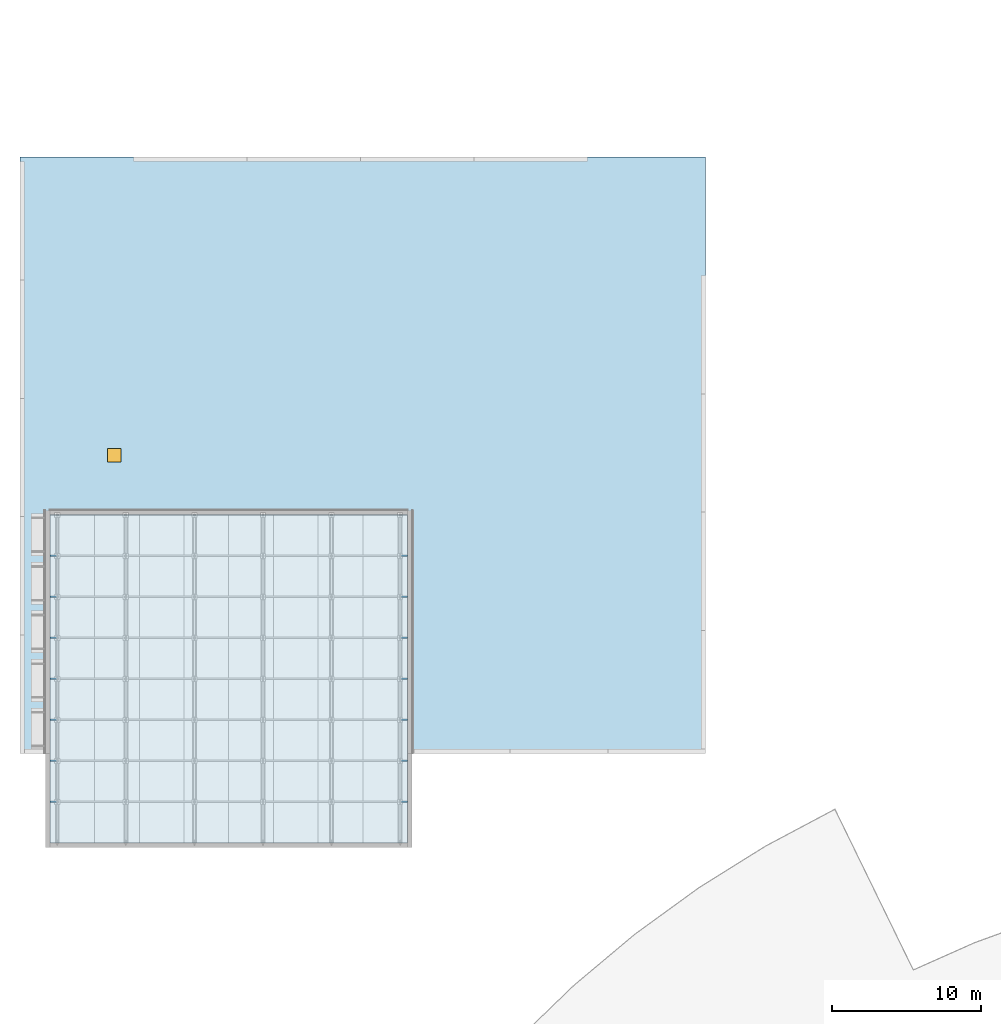
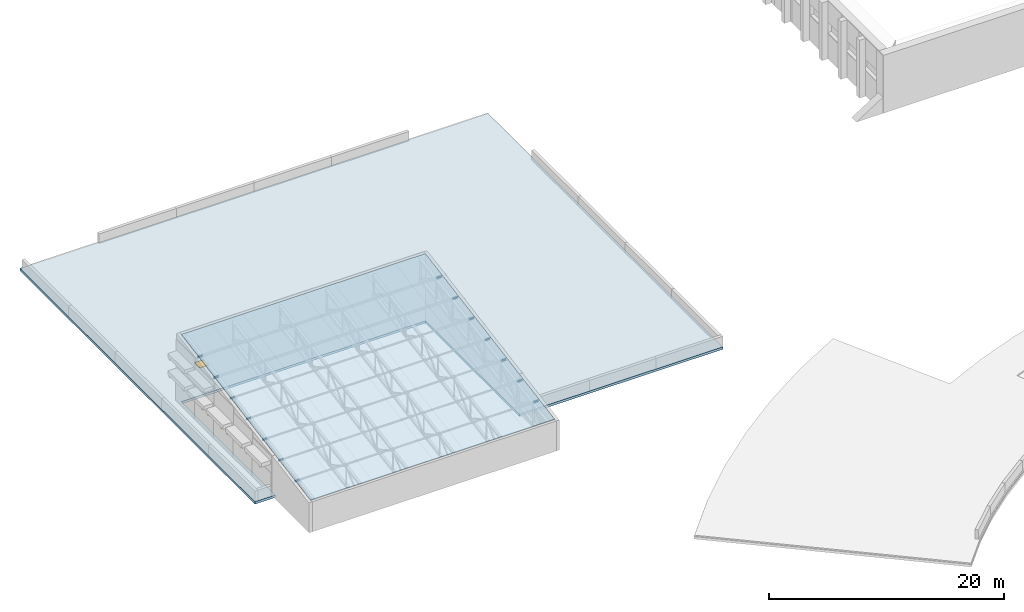
"""IFC4 building model written with IfcOpenShell, lengths in metres."""

from ifc_helpers import new_model, si_unit, direction, frame, origin, origin_2d, place, context, subcontext, project, spatial, polyline, rectangle, i_section, outline, extrude, material, layer, layer_set, material_profile, profile_set, type_object, element, fill, save


model = new_model("IFC4")

# Units and contexts
model_context = context("Model", 3, precision=1e-05, world=origin(), true_north=direction((0.0, 1.0)))
body_context = subcontext(model_context, "Body", "Model", "MODEL_VIEW")
ifc_project = project(units=[si_unit("LENGTHUNIT", "METRE"), si_unit("AREAUNIT", "SQUARE_METRE"), si_unit("VOLUMEUNIT", "CUBIC_METRE"), si_unit("PLANEANGLEUNIT", "RADIAN"), si_unit("MASSUNIT", "GRAM", prefix="KILO")], contexts=[model_context])

# Site, building, storey
site_placement = place(None, origin())
site = spatial("IfcSite", under=ifc_project, at=site_placement, CompositionType="ELEMENT")
building_placement = place(site_placement, origin())
building = spatial("IfcBuilding", under=site, at=building_placement, Name="Lunette Opera House", CompositionType="ELEMENT")
storey_1_placement = place(building_placement, frame((0.0, 0.0, 28.0)))
storey_1 = spatial("IfcBuildingStorey", under=building, at=storey_1_placement, Name="L05", CompositionType="ELEMENT", Elevation=28.0)

# Members
ifc_material_1 = material(Name="Steel S355", Category="steel")
ifc_material_profile = material_profile(ifc_material_1, i_section(OverallWidth=0.091064453125, OverallDepth=0.179931640625, WebThickness=0.00537109375, FlangeThickness=0.008056640625, FilletRadius=0.009033203125, at=origin_2d()), Name="IPE 180")
ifc_profile_set = profile_set([ifc_material_profile], Name="Steel S355")
member_type = type_object("IfcMemberType", Name="PURLIN IPE 180", PredefinedType="PURLIN", material=ifc_profile_set)
for number, where, z_axis, x_axis, name in (
    (1, (10.0, 68.75, 3.39501953125), (1.0, 0.0, 0.0), (0.0, 1.0, 0.0), "mem-RW-L05-LF-PU1-1"),
    (2, (33.5, 68.75, 3.39501953125), (1.0, 0.0, 0.0), (0.0, 1.0, 0.0), "mem-RW-L05-LF-PU1-7"),
    (3, (10.0, 71.5, 3.8798828125), (1.0, 0.0, 0.0), (0.0, 1.0, 0.0), "mem-RW-L05-LF-PU2-1"),
    (4, (33.5, 71.5, 3.8798828125), (1.0, 0.0, 0.0), (0.0, 1.0, 0.0), "mem-RW-L05-LF-PU2-7"),
    (5, (10.0, 74.25, 4.364990234375), (1.0, 0.0, 0.0), (0.0, 1.0, 0.0), "mem-RW-L05-LF-PU3-1"),
    (6, (33.5, 74.25, 4.364990234375), (1.0, 0.0, 0.0), (0.0, 1.0, 0.0), "mem-RW-L05-LF-PU3-7"),
    (7, (10.0, 77.0, 4.85009765625), (1.0, 0.0, 0.0), (0.0, 1.0, 0.0), "mem-RW-L05-LF-PU4-1"),
    (8, (33.5, 77.0, 4.85009765625), (1.0, 0.0, 0.0), (0.0, 1.0, 0.0), "mem-RW-L05-LF-PU4-7"),
    (9, (10.0, 79.75, 5.333984375), (1.0, 0.0, 0.0), (0.0, 1.0, 0.0), "mem-RW-L05-LF-PU5-1"),
    (10, (33.5, 79.75, 5.333984375), (1.0, 0.0, 0.0), (0.0, 1.0, 0.0), "mem-RW-L05-LF-PU5-7"),
    (11, (10.0, 82.5, 5.819091796875), (1.0, 0.0, 0.0), (0.0, 1.0, 0.0), "mem-RW-L05-LF-PU6-1"),
    (12, (33.5, 82.5, 5.819091796875), (1.0, 0.0, 0.0), (0.0, 1.0, 0.0), "mem-RW-L05-LF-PU6-7"),
    (13, (10.0, 85.25, 6.303955078125), (1.0, 0.0, 0.0), (0.0, 1.0, 0.0), "mem-RW-L05-LF-PU7-1"),
    (14, (33.5, 85.25, 6.303955078125), (1.0, 0.0, 0.0), (0.0, 1.0, 0.0), "mem-RW-L05-LF-PU7-7"),
):
    element("IfcMember", number, at=place(storey_1_placement, frame(where, z_axis=z_axis, x_axis=x_axis)), inside=storey_1, type_object=member_type, Name=name, PredefinedType="PURLIN", context=body_context, shape_type="SweptSolid", body=[
        extrude(i_section(OverallWidth=0.091064453125, OverallDepth=0.179931640625, WebThickness=0.00537109375, FlangeThickness=0.008056640625, FilletRadius=0.009033203125, at=origin_2d()), origin(), (0.0, 0.0, 1.0), 0.5),
    ])

# Slab
ifc_material_2 = material(Name="Concrete C35/45", Category="concrete")
ifc_layer_1 = layer(ifc_material_2, 0.1201171875)
ifc_layer_set_1 = layer_set([ifc_layer_1], Name="Concrete C35/45")
slab_type_1 = type_object("IfcSlabType", Name="ROOF DECK 120", PredefinedType="ROOF", material=ifc_layer_set_1)
slab_1_placement = place(storey_1_placement, frame((10.0, 66.0, 3.1201171875), z_axis=(0.0, -0.173635703618, 0.984809952442), x_axis=(1.0, 0.0, 0.0)))
element("IfcSlab", 15, at=slab_1_placement, inside=storey_1, type_object=slab_type_1, Name="Rehearsal loft roof deck", PredefinedType="ROOF", context=body_context, shape_type="SweptSolid", body=[
    extrude(outline(polyline([(0.0, 0.0), (24.0, 0.0), (24.0, 22.339335569713995), (0.0, 22.339335569713995), (0.0, 0.0)])), origin(), (0.0, 0.0, -1.0), 0.1201171875),
])

# Slab, opening
ifc_material_3 = material(Name="Concrete C35/45", Category="concrete")
ifc_layer_2 = layer(ifc_material_3, 0.25)
ifc_layer_set_2 = layer_set([ifc_layer_2], Name="Concrete C35/45")
slab_type_2 = type_object("IfcSlabType", Name="ROOF SLAB 250", PredefinedType="ROOF", material=ifc_layer_set_2)
slab_2_placement = place(storey_1_placement, frame((0.0, 0.0, -0.25)))
slab_2 = element("IfcSlab", 16, at=slab_2_placement, inside=storey_1, type_object=slab_type_2, Name="slab-RW-L04-R11", PredefinedType="ROOF", context=body_context, shape_type="SweptSolid", body=[
    extrude(outline(polyline([(8.0, 72.0), (10.0, 72.0), (10.0, 88.0), (34.0, 88.0), (34.0, 72.0), (54.0, 72.0), (54.0, 112.0), (8.0, 112.0), (8.0, 72.0)])), origin(), (0.0, 0.0, 1.0), 0.25),
])
opening_placement = place(slab_2_placement, frame((14.3330078125, 92.0, 0.0)))
opening = element("IfcOpeningElement", 17, at=opening_placement, cuts=slab_2, Name="Opening RW-D2004", PredefinedType="OPENING", context=body_context, shape_type="SweptSolid", body=[
    extrude(rectangle(XDim=0.89990234375, YDim=0.89990234375, at=origin_2d()), origin(), (0.0, 0.0, 1.0), 0.25),
])

# Storey
storey_2_placement = place(building_placement, frame((0.0, 0.0, 22.5)))
storey_2 = spatial("IfcBuildingStorey", under=building, at=storey_2_placement, Name="L04", CompositionType="ELEMENT", Elevation=22.5)

# Door
ifc_material_4 = material(Name="Insulated steel", Category="steel")
door_type = type_object("IfcDoorType", Name="ROOF HATCH 900 X 900", OperationType="SINGLE_SWING_LEFT", PredefinedType="TRAPDOOR", material=ifc_material_4)
door_placement = place(opening_placement, frame((0.0, 0.0, 0.199951171875)))
door = element("IfcDoor", 18, at=door_placement, inside=storey_2, type_object=door_type, Name="Roof hatch RW 1", OperationType="SINGLE_SWING_LEFT", OverallHeight=0.89990234375, OverallWidth=0.89990234375, PredefinedType="TRAPDOOR", context=body_context, shape_type="SweptSolid", body=[
    extrude(rectangle(XDim=0.89990234375, YDim=0.89990234375, at=origin_2d()), origin(), (0.0, 0.0, 1.0), 0.050048828125),
])

fill(opening, door)

save(model, "model.ifc")
